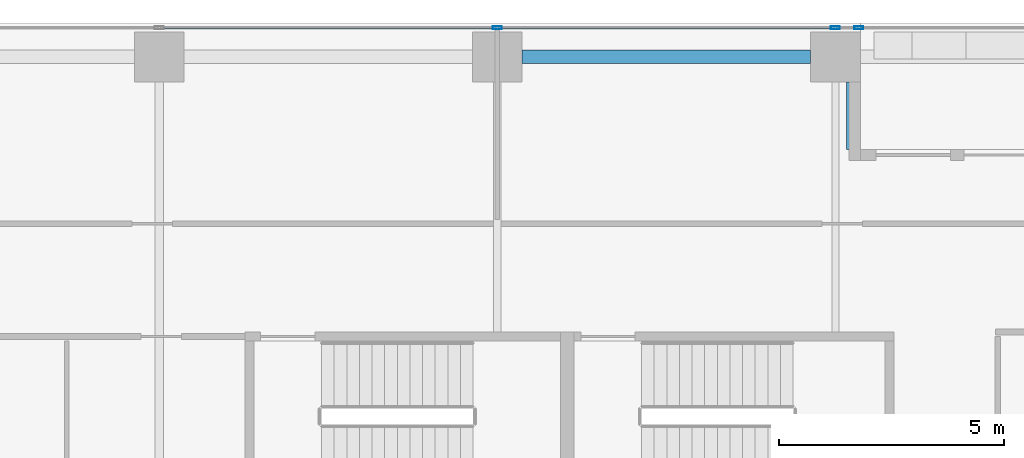
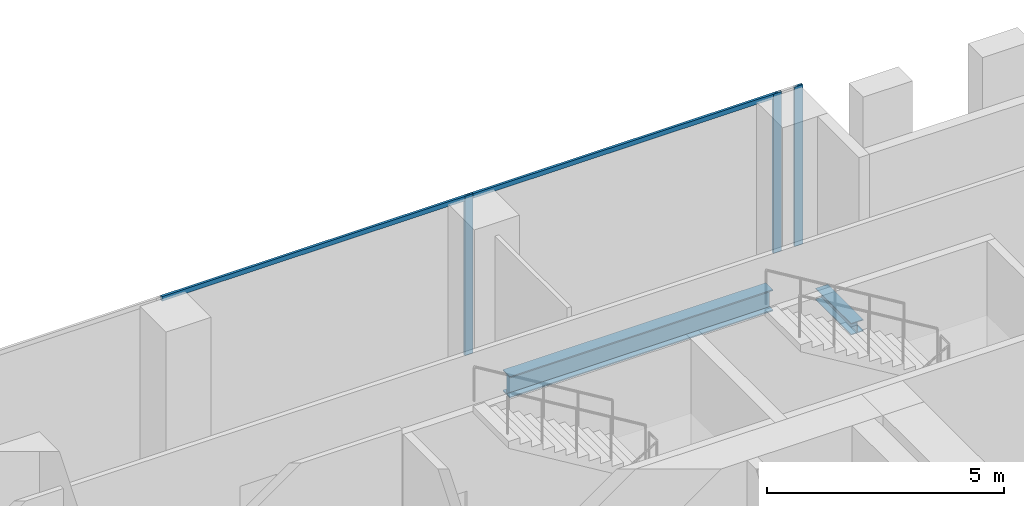
# One storey, part 17 of 34: 5 members, 2 beams, 1 element without a shape of its own.
"""IFC4 building model written with IfcOpenShell, lengths in metres."""

from ifc_helpers import new_model, si_unit, direction, frame, origin, origin_2d, place, context, subcontext, project, spatial, hollow_rectangle, i_section, extrude, source, transform, mapped, material, material_profile, profile_set, type_object, element, aggregate, save


model = new_model("IFC4")

# Units and contexts
model_context = context("Model", 3, precision=1e-05, world=origin(), true_north=direction((0.0, 1.0)))
body_context = subcontext(model_context, "Body", "Model", "MODEL_VIEW")
ifc_project = project(units=[si_unit("LENGTHUNIT", "METRE"), si_unit("AREAUNIT", "SQUARE_METRE"), si_unit("VOLUMEUNIT", "CUBIC_METRE"), si_unit("PLANEANGLEUNIT", "RADIAN"), si_unit("MASSUNIT", "GRAM", prefix="KILO")], contexts=[model_context])

# Site, building, storey
site_placement = place(None, origin())
site = spatial("IfcSite", under=ifc_project, at=site_placement, CompositionType="ELEMENT")
building_placement = place(site_placement, origin())
building = spatial("IfcBuilding", under=site, at=building_placement, Name="Khomas Fold Tower", CompositionType="ELEMENT")
storey_placement = place(building_placement, frame((0.0, 0.0, 123.5)))
storey = spatial("IfcBuildingStorey", under=building, at=storey_placement, Name="L26", CompositionType="ELEMENT", Elevation=123.5)

# Beams
ifc_material_1 = material(Name="Steel S355", Category="steel")
ifc_material_profile_1 = material_profile(ifc_material_1, i_section(OverallWidth=0.300048828125, OverallDepth=0.550048828125, WebThickness=0.014892578125, FlangeThickness=0.029052734375, at=origin_2d()), Name="HE 550 B")
ifc_profile_set_1 = profile_set([ifc_material_profile_1], Name="Steel S355")
beam_type_1 = type_object("IfcBeamType", Name="HE 550 B spandrel SB2", PredefinedType="SPANDREL", material=ifc_profile_set_1)
shared_shape_1 = source(origin(), body_context, "Body", "SweptSolid", [
    extrude(i_section(OverallWidth=0.300048828125, OverallDepth=0.550048828125, WebThickness=0.014892578125, FlangeThickness=0.029052734375, at=origin_2d()), origin(), (0.0, 0.0, 1.0), 6.39990234375),
])
beam_1_placement = place(storey_placement, frame((20.050048828125, 51.75, -0.574951171875), z_axis=(1.0, 0.0, 0.0), x_axis=(0.0, 1.0, 0.0)))
element("IfcBeam", 1, at=beam_1_placement, inside=storey, type_object=beam_type_1, Name="SB2", PredefinedType="SPANDREL", context=body_context, shape_type="MappedRepresentation", body=[
    mapped(shared_shape_1, transform((0.0, 0.0, 0.0))),
])
ifc_material_2 = material(Name="Steel S355", Category="steel")
ifc_material_profile_2 = material_profile(ifc_material_2, i_section(OverallWidth=0.300048828125, OverallDepth=0.300048828125, WebThickness=0.010986328125, FlangeThickness=0.01904296875, at=origin_2d()), Name="HE 300 B")
ifc_profile_set_2 = profile_set([ifc_material_profile_2], Name="Steel S355")
beam_type_2 = type_object("IfcBeamType", Name="HE 300 B beam BB1", PredefinedType="BEAM", material=ifc_profile_set_2)
shared_shape_2 = source(origin(), body_context, "Body", "SweptSolid", [
    extrude(i_section(OverallWidth=0.300048828125, OverallDepth=0.300048828125, WebThickness=0.010986328125, FlangeThickness=0.01904296875, at=origin_2d()), origin(), (0.0, 0.0, 1.0), 1.5),
])
beam_2_placement = place(storey_placement, frame((27.39990234375, 49.699951171875, -0.449951171875), z_axis=(0.0, 1.0, 0.0), x_axis=(-1.0, 0.0, 0.0)))
element("IfcBeam", 2, at=beam_2_placement, inside=storey, type_object=beam_type_2, Name="BB1", PredefinedType="BEAM", context=body_context, shape_type="MappedRepresentation", body=[
    mapped(shared_shape_2, transform((0.0, 0.0, 0.0))),
])

# Curtain wall, members
ifc_material_3 = material(Name="Aluminium framed double glazing", Category="aluminium")
curtain_wall_type = type_object("IfcCurtainWallType", Name="SK-Unitised clear-glass wall, growing floors CW1", PredefinedType="NOTDEFINED", material=ifc_material_3)
curtain_wall_placement = place(storey_placement, origin())
curtain_wall = element("IfcCurtainWall", 3, at=curtain_wall_placement, inside=storey, type_object=curtain_wall_type, Name="CW1 run L26 06-1", PredefinedType="NOTDEFINED")
ifc_material_4 = material(Name="Aluminium", Category="aluminium")
ifc_material_profile_3 = material_profile(ifc_material_4, hollow_rectangle(XDim=0.06005859375, YDim=0.1201171875, WallThickness=0.00390625, at=origin_2d()), Name="SK-Unitised clear-glass wall, growing floors transom CW1-T")
ifc_profile_set_3 = profile_set([ifc_material_profile_3], Name="Aluminium")
member_type_1 = type_object("IfcMemberType", Name="SK-Unitised clear-glass wall, growing floors transom CW1-T", PredefinedType="USERDEFINED", material=ifc_profile_set_3)
shared_shape_3 = source(origin(), body_context, "Body", "SweptSolid", [
    extrude(hollow_rectangle(XDim=0.06005859375, YDim=0.1201171875, WallThickness=0.00390625, at=origin_2d()), origin(), (0.0, 0.0, 1.0), 7.43994140625),
])
member_1_placement = place(storey_placement, frame((26.969970703125, 52.39990234375, 4.0400390625), z_axis=(-1.0, 0.0, 0.0), x_axis=(0.0, -1.0, 0.0)))
member_1 = element("IfcMember", 4, at=member_1_placement, type_object=member_type_1, Name="CW1 transom 2", ObjectType="TRANSOM", PredefinedType="USERDEFINED", context=body_context, shape_type="MappedRepresentation", body=[
    mapped(shared_shape_3, transform((0.0, 0.0, 0.0))),
])
member_2_placement = place(storey_placement, frame((19.469970703125, 52.39990234375, 4.0400390625), z_axis=(-1.0, 0.0, 0.0), x_axis=(0.0, -1.0, 0.0)))
member_2 = element("IfcMember", 5, at=member_2_placement, type_object=member_type_1, Name="CW1 transom 3", ObjectType="TRANSOM", PredefinedType="USERDEFINED", context=body_context, shape_type="MappedRepresentation", body=[
    mapped(shared_shape_3, transform((0.0, 0.0, 0.0))),
])
ifc_material_5 = material(Name="Aluminium", Category="aluminium")
ifc_material_profile_4 = material_profile(ifc_material_5, hollow_rectangle(XDim=0.06005859375, YDim=0.199951171875, WallThickness=0.00390625, at=origin_2d()), Name="SK-Unitised clear-glass wall, growing floors mullion CW1-M")
ifc_profile_set_4 = profile_set([ifc_material_profile_4], Name="Aluminium")
member_type_2 = type_object("IfcMemberType", Name="SK-Unitised clear-glass wall, growing floors mullion CW1-M", PredefinedType="MULLION", material=ifc_profile_set_4)
shared_shape_4 = source(origin(), body_context, "Body", "SweptSolid", [
    extrude(hollow_rectangle(XDim=0.06005859375, YDim=0.199951171875, WallThickness=0.00390625, at=origin_2d()), origin(), (0.0, 0.0, 1.0), 4.10009765625),
])
member_3_placement = place(storey_placement, frame((27.52001953125, 52.39990234375, 0.0), z_axis=(0.0, 0.0, 1.0), x_axis=(0.0, -1.0, 0.0)))
member_3 = element("IfcMember", 6, at=member_3_placement, type_object=member_type_2, Name="CW1 mullion 1", PredefinedType="MULLION", context=body_context, shape_type="MappedRepresentation", body=[
    mapped(shared_shape_4, transform((0.0, 0.0, 0.0))),
])
member_4_placement = place(storey_placement, frame((27.0, 52.39990234375, 0.0), z_axis=(0.0, 0.0, 1.0), x_axis=(0.0, -1.0, 0.0)))
member_4 = element("IfcMember", 7, at=member_4_placement, type_object=member_type_2, Name="CW1 mullion 2", PredefinedType="MULLION", context=body_context, shape_type="MappedRepresentation", body=[
    mapped(shared_shape_4, transform((0.0, 0.0, 0.0))),
])
member_5_placement = place(storey_placement, frame((19.5, 52.39990234375, 0.0), z_axis=(0.0, 0.0, 1.0), x_axis=(0.0, -1.0, 0.0)))
member_5 = element("IfcMember", 8, at=member_5_placement, type_object=member_type_2, Name="CW1 mullion 3", PredefinedType="MULLION", context=body_context, shape_type="MappedRepresentation", body=[
    mapped(shared_shape_4, transform((0.0, 0.0, 0.0))),
])
aggregate(curtain_wall, [member_3, member_4, member_5, member_1, member_2])

save(model, "model.ifc")
